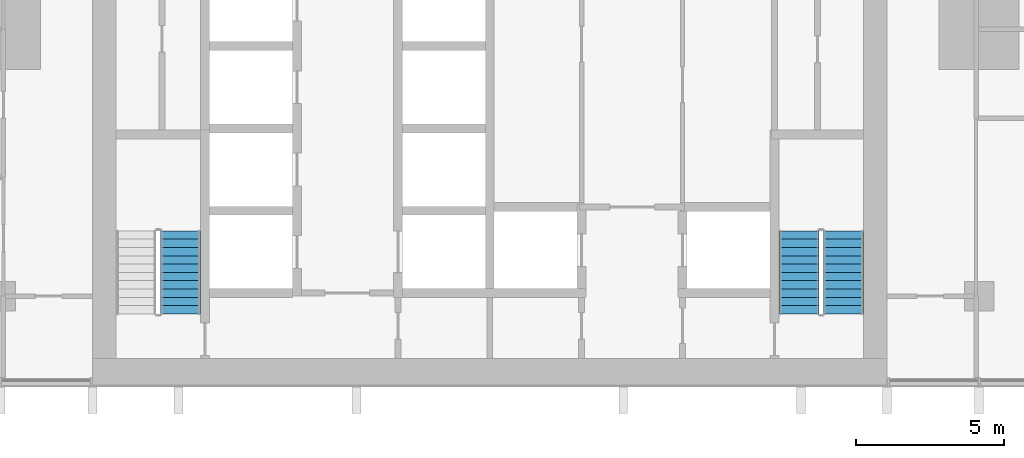
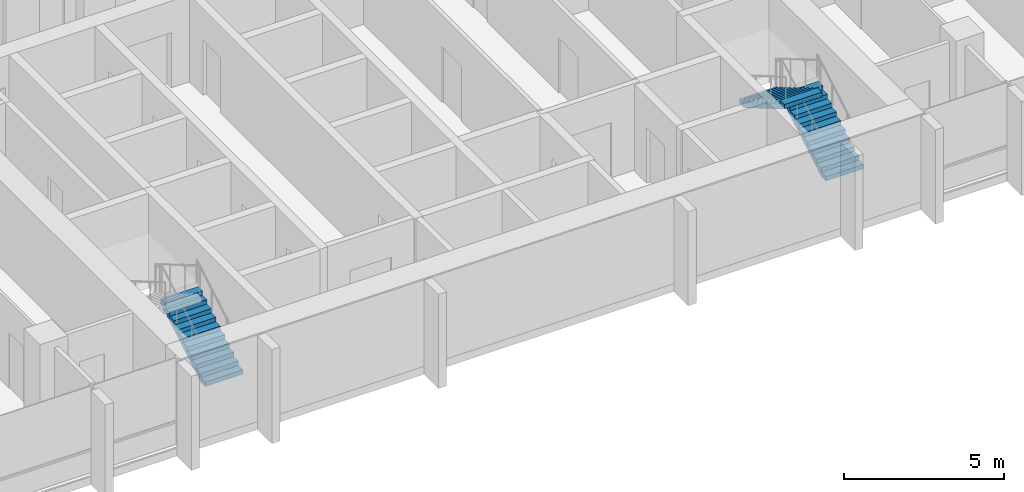
# One storey, part 13 of 18: 3 stair flights, 2 elements without a shape of their own.
"""IFC4 building model written with IfcOpenShell, lengths in metres."""

from ifc_helpers import new_model, si_unit, direction, frame, origin, place, context, subcontext, project, spatial, polyline, outline, extrude, material, type_object, element, aggregate, save


model = new_model("IFC4")

# Units and contexts
model_context = context("Model", 3, precision=1e-05, world=origin(), true_north=direction((0.0, 1.0)))
body_context = subcontext(model_context, "Body", "Model", "MODEL_VIEW")
ifc_project = project(units=[si_unit("LENGTHUNIT", "METRE"), si_unit("AREAUNIT", "SQUARE_METRE"), si_unit("VOLUMEUNIT", "CUBIC_METRE"), si_unit("PLANEANGLEUNIT", "RADIAN"), si_unit("MASSUNIT", "GRAM", prefix="KILO")], contexts=[model_context])

# Site, building, storey
site_placement = place(None, origin())
site = spatial("IfcSite", under=ifc_project, at=site_placement, CompositionType="ELEMENT")
building_placement = place(site_placement, origin())
building = spatial("IfcBuilding", under=site, at=building_placement, Name="Finial Court Residences", CompositionType="ELEMENT")
storey_placement = place(building_placement, frame((0.0, 0.0, 84.699951171875)))
storey = spatial("IfcBuildingStorey", under=building, at=storey_placement, Name="L20", CompositionType="ELEMENT", Elevation=84.699951171875)

# Stair, stair flight
ifc_material = material(Name="Concrete C50/60", Category="concrete")
stair_type = type_object("IfcStairType", Name="Exit stair 22 risers of 163.6 mm", PredefinedType="HALF_TURN_STAIR", material=ifc_material)
stair_1_placement = place(storey_placement, origin())
stair_1 = element("IfcStair", 1, at=stair_1_placement, inside=storey, type_object=stair_type, Name="L20 Exit stair ST-1", PredefinedType="HALF_TURN_STAIR")
stair_flight_type = type_object("IfcStairFlightType", Name="Exit stair flight", PredefinedType="STRAIGHT", material=ifc_material)
stair_flight_1_placement = place(storey_placement, frame((-10.425048828125, -23.10009765625, 0.0), z_axis=(0.0, 0.0, 1.0), x_axis=(0.0, 1.0, 0.0)))
stair_flight_1 = element("IfcStairFlight", 2, at=stair_flight_1_placement, type_object=stair_flight_type, Name="ST-1 flight 1", NumberOfRisers=11, NumberOfTreads=10, PredefinedType="STRAIGHT", RiserHeight=0.163636364, TreadLength=0.28, context=body_context, shape_type="SweptSolid", body=[
    extrude(outline(polyline([(0.0, 0.0), (0.0, 0.16357421875), (0.280029296875, 0.16357421875), (0.280029296875, 0.327392578125), (0.56005859375, 0.327392578125), (0.56005859375, 0.490966796875), (0.840087890625, 0.490966796875), (0.840087890625, 0.654541015625), (1.1201171875, 0.654541015625), (1.1201171875, 0.818115234375), (1.39990234375, 0.818115234375), (1.39990234375, 0.98193359375), (1.679931640625, 0.98193359375), (1.679931640625, 1.1455078125), (1.9599609375, 1.1455078125), (1.9599609375, 1.30908203125), (2.239990234375, 1.30908203125), (2.239990234375, 1.47265625), (2.52001953125, 1.47265625), (2.52001953125, 1.636474609375), (2.800048828125, 1.636474609375), (2.800048828125, 1.800048828125), (2.800048828125, 1.462646484375), (0.297119140625, 0.0), (0.0, 0.0)])), frame((0.0, 0.675048828125, 0.0), z_axis=(0.0, -1.0, 0.0), x_axis=(1.0, 0.0, 0.0)), (0.0, 0.0, 1.0), 1.35009765625),
])
aggregate(stair_1, [stair_flight_1])

# Stair, stair flights
stair_2_placement = place(storey_placement, origin())
stair_2 = element("IfcStair", 3, at=stair_2_placement, inside=storey, type_object=stair_type, Name="L20 Exit stair ST-2", PredefinedType="HALF_TURN_STAIR")
stair_flight_2_placement = place(storey_placement, frame((11.925048828125, -23.10009765625, 0.0), z_axis=(0.0, 0.0, 1.0), x_axis=(0.0, 1.0, 0.0)))
stair_flight_2 = element("IfcStairFlight", 4, at=stair_flight_2_placement, type_object=stair_flight_type, Name="ST-2 flight 1", NumberOfRisers=11, NumberOfTreads=10, PredefinedType="STRAIGHT", RiserHeight=0.163636364, TreadLength=0.28, context=body_context, shape_type="SweptSolid", body=[
    extrude(outline(polyline([(0.0, 0.0), (0.0, 0.16357421875), (0.280029296875, 0.16357421875), (0.280029296875, 0.327392578125), (0.56005859375, 0.327392578125), (0.56005859375, 0.490966796875), (0.840087890625, 0.490966796875), (0.840087890625, 0.654541015625), (1.1201171875, 0.654541015625), (1.1201171875, 0.818115234375), (1.39990234375, 0.818115234375), (1.39990234375, 0.98193359375), (1.679931640625, 0.98193359375), (1.679931640625, 1.1455078125), (1.9599609375, 1.1455078125), (1.9599609375, 1.30908203125), (2.239990234375, 1.30908203125), (2.239990234375, 1.47265625), (2.52001953125, 1.47265625), (2.52001953125, 1.636474609375), (2.800048828125, 1.636474609375), (2.800048828125, 1.800048828125), (2.800048828125, 1.462646484375), (0.297119140625, 0.0), (0.0, 0.0)])), frame((0.0, 0.675048828125, 0.0), z_axis=(0.0, -1.0, 0.0), x_axis=(1.0, 0.0, 0.0)), (0.0, 0.0, 1.0), 1.35009765625),
])
stair_flight_3_placement = place(storey_placement, frame((10.425048828125, -20.300048828125, 1.800048828125), z_axis=(0.0, 0.0, 1.0), x_axis=(0.0, -1.0, 0.0)))
stair_flight_3 = element("IfcStairFlight", 5, at=stair_flight_3_placement, type_object=stair_flight_type, Name="ST-2 flight 2", NumberOfRisers=11, NumberOfTreads=10, PredefinedType="STRAIGHT", RiserHeight=0.163636364, TreadLength=0.28, context=body_context, shape_type="SweptSolid", body=[
    extrude(outline(polyline([(0.0, 0.0), (0.0, 0.16357421875), (0.280029296875, 0.16357421875), (0.280029296875, 0.327392578125), (0.56005859375, 0.327392578125), (0.56005859375, 0.490966796875), (0.840087890625, 0.490966796875), (0.840087890625, 0.654541015625), (1.1201171875, 0.654541015625), (1.1201171875, 0.818115234375), (1.39990234375, 0.818115234375), (1.39990234375, 0.98193359375), (1.679931640625, 0.98193359375), (1.679931640625, 1.1455078125), (1.9599609375, 1.1455078125), (1.9599609375, 1.30908203125), (2.239990234375, 1.30908203125), (2.239990234375, 1.47265625), (2.52001953125, 1.47265625), (2.52001953125, 1.636474609375), (2.800048828125, 1.636474609375), (2.800048828125, 1.800048828125), (2.800048828125, 1.462646484375), (0.297119140625, 0.0), (0.0, 0.0)])), frame((0.0, 0.675048828125, 0.0), z_axis=(0.0, -1.0, 0.0), x_axis=(1.0, 0.0, 0.0)), (0.0, 0.0, 1.0), 1.35009765625),
])
aggregate(stair_2, [stair_flight_2, stair_flight_3])

save(model, "model.ifc")
